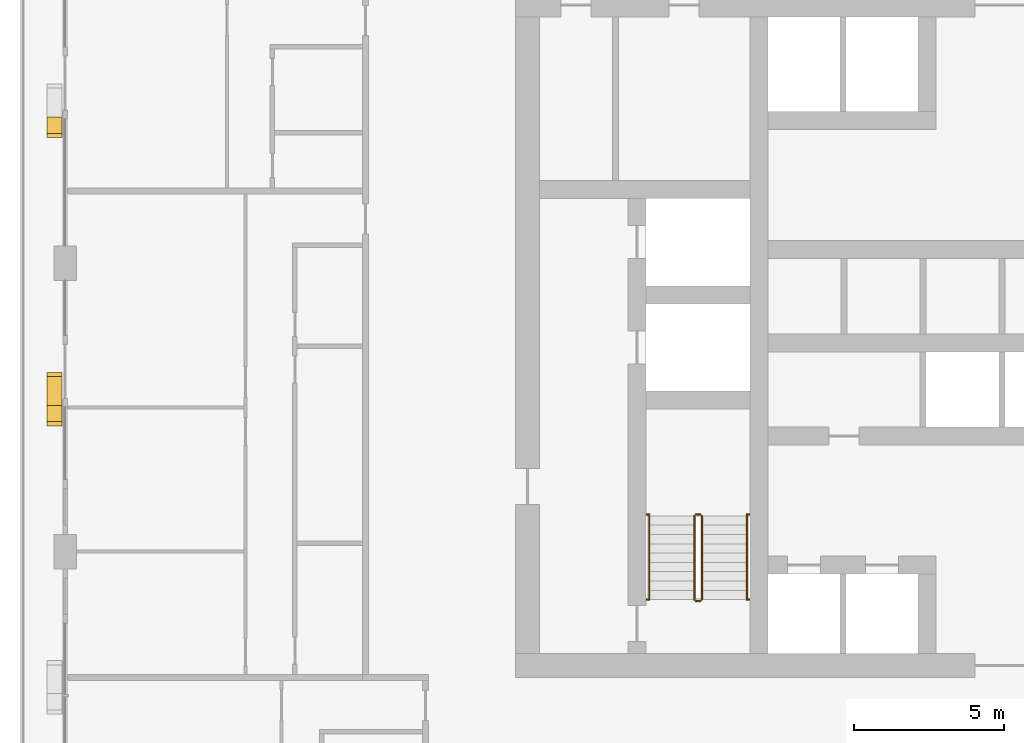
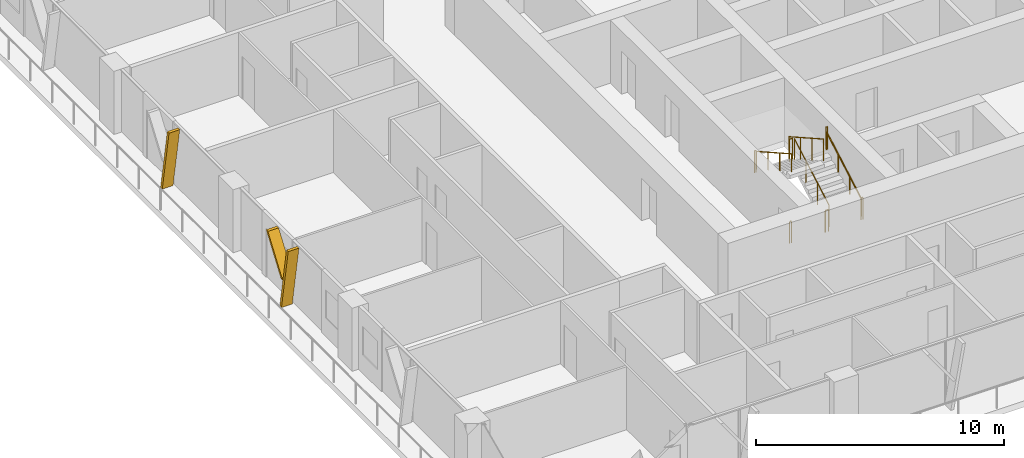
# One storey, part 17 of 22: 10 railings, 3 shading devices.
"""IFC4 building model written with IfcOpenShell, lengths in metres."""

from ifc_helpers import new_model, si_unit, direction, frame, origin, origin_2d, place, context, subcontext, project, spatial, polyline, circle, outline, extrude, material, type_object, element, save


model = new_model("IFC4")

# Units and contexts
model_context = context("Model", 3, precision=1e-05, world=origin(), true_north=direction((0.0, 1.0)))
body_context = subcontext(model_context, "Body", "Model", "MODEL_VIEW")
ifc_project = project(units=[si_unit("LENGTHUNIT", "METRE"), si_unit("AREAUNIT", "SQUARE_METRE"), si_unit("VOLUMEUNIT", "CUBIC_METRE"), si_unit("PLANEANGLEUNIT", "RADIAN"), si_unit("MASSUNIT", "GRAM", prefix="KILO")], contexts=[model_context])

# Site, building, storey
site_placement = place(None, origin())
site = spatial("IfcSite", under=ifc_project, at=site_placement, CompositionType="ELEMENT")
building_placement = place(site_placement, origin())
building = spatial("IfcBuilding", under=site, at=building_placement, Name="Madar Terraces", CompositionType="ELEMENT")
storey_placement = place(building_placement, frame((0.0, 0.0, 140.10009765625)))
storey = spatial("IfcBuildingStorey", under=building, at=storey_placement, Name="L36", CompositionType="ELEMENT", Elevation=140.10009765625)

# Shading devices
ifc_material_1 = material(Name="Aluminium, black anodised", Category="aluminium")
shading_device_type = type_object("IfcShadingDeviceType", Name="Facade fin blade 140 x 500", PredefinedType="USERDEFINED", material=ifc_material_1)
shading_device_1_placement = place(storey_placement, frame((-0.35009765625, 33.669921875, 0.0), z_axis=(0.0, 0.0, 1.0), x_axis=(0.0, -1.0, 0.0)))
element("IfcShadingDevice", 1, at=shading_device_1_placement, inside=storey, type_object=shading_device_type, Name="FIN L36 W2", ObjectType="FIN", PredefinedType="USERDEFINED", context=body_context, shape_type="SweptSolid", body=[
    extrude(outline(polyline([(0.0, 0.0), (0.139892578125, 0.0), (0.68310546875, 3.079833984375), (0.54296875, 3.079833984375), (0.0, 0.0)])), frame((0.0, 0.25, 0.0), z_axis=(0.0, -1.0, 0.0), x_axis=(1.0, 0.0, 0.0)), (0.0, 0.0, 1.0), 0.5),
])
shading_device_2_placement = place(storey_placement, frame((-0.35009765625, 24.070068359375, 0.0), z_axis=(0.0, 0.0, 1.0), x_axis=(0.0, -1.0, 0.0)))
element("IfcShadingDevice", 2, at=shading_device_2_placement, inside=storey, type_object=shading_device_type, Name="FIN L36 W3", ObjectType="FIN", PredefinedType="USERDEFINED", context=body_context, shape_type="SweptSolid", body=[
    extrude(outline(polyline([(0.0, 0.0), (0.14013671875, 0.0), (0.68310546875, 3.079833984375), (0.54296875, 3.079833984375), (0.0, 0.0)])), frame((0.0, 0.25, 0.0), z_axis=(0.0, -1.0, 0.0), x_axis=(1.0, 0.0, 0.0)), (0.0, 0.0, 1.0), 0.5),
])
shading_device_3_placement = place(storey_placement, frame((-0.35009765625, 23.965576171875, 1.385986328125), z_axis=(0.0, 0.0, 1.0), x_axis=(0.0, -1.0, 0.0)))
element("IfcShadingDevice", 3, at=shading_device_3_placement, inside=storey, type_object=shading_device_type, Name="FIN L36 W3 branch", ObjectType="FIN", PredefinedType="USERDEFINED", context=body_context, shape_type="SweptSolid", body=[
    extrude(outline(polyline([(0.0, 0.0), (0.139892578125, 0.0), (-1.061279296875, 1.69384765625), (-1.201416015625, 1.69384765625), (0.0, 0.0)])), frame((0.0, 0.25, 0.0), z_axis=(0.0, -1.0, 0.0), x_axis=(1.0, 0.0, 0.0)), (0.0, 0.0, 1.0), 0.5),
])

# Railings
ifc_material_2 = material(Name="Stainless steel railing", Category="steel")
railing_type_1 = type_object("IfcRailingType", Name="Stair guard 1100", PredefinedType="GUARDRAIL", material=ifc_material_2)
railing_1_placement = place(storey_placement, frame((21.199951171875, 17.60009765625, 0.1748046875)))
element("IfcRailing", 4, at=railing_1_placement, inside=storey, type_object=railing_type_1, Name="L36 ST1 stair guard 1", PredefinedType="GUARDRAIL", context=body_context, shape_type="SweptSolid", body=[
    extrude(circle(Radius=0.02392578125, at=origin_2d()), frame((0.0, 0.0, 1.076171875), z_axis=(0.0, 0.870782738816, 0.491667999549), x_axis=(-1.0, 0.0, 0.0)), (0.0, 0.0, 1.0), 3.203857421875),
    extrude(circle(Radius=0.02099609375, at=origin_2d()), origin(), (0.0, 0.0, 1.0), 1.052001953125),
    extrude(circle(Radius=0.02099609375, at=origin_2d()), frame((0.0, 0.929931640625, 0.525146484375)), (0.0, 0.0, 1.0), 1.052001953125),
    extrude(circle(Radius=0.02099609375, at=origin_2d()), frame((0.0, 1.85986328125, 1.050048828125)), (0.0, 0.0, 1.0), 1.052001953125),
    extrude(circle(Radius=0.02099609375, at=origin_2d()), frame((0.0, 2.789794921875, 1.5751953125)), (0.0, 0.0, 1.0), 1.052001953125),
])
railing_2_placement = place(storey_placement, frame((21.14990234375, 20.43994140625, 1.75)))
element("IfcRailing", 5, at=railing_2_placement, inside=storey, type_object=railing_type_1, Name="L36 ST1 stair guard 2", PredefinedType="GUARDRAIL", context=body_context, shape_type="SweptSolid", body=[
    extrude(circle(Radius=0.02392578125, at=origin_2d()), frame((0.0, 0.0, 1.076171875), z_axis=(-1.0, 0.0, 0.0), x_axis=(0.0, -1.0, 0.0)), (0.0, 0.0, 1.0), 0.14990234375),
    extrude(circle(Radius=0.02099609375, at=origin_2d()), origin(), (0.0, 0.0, 1.0), 1.052001953125),
    extrude(circle(Radius=0.02099609375, at=origin_2d()), frame((-0.14990234375, 0.0, 0.0)), (0.0, 0.0, 1.0), 1.052001953125),
])
railing_3_placement = place(storey_placement, frame((20.949951171875, 20.389892578125, 1.9248046875)))
element("IfcRailing", 6, at=railing_3_placement, inside=storey, type_object=railing_type_1, Name="L36 ST1 stair guard 3", PredefinedType="GUARDRAIL", context=body_context, shape_type="SweptSolid", body=[
    extrude(circle(Radius=0.02392578125, at=origin_2d()), frame((0.0, 0.0, 1.076171875), z_axis=(0.0, -0.870782738816, 0.491667999549), x_axis=(1.0, 0.0, 0.0)), (0.0, 0.0, 1.0), 3.203857421875),
    extrude(circle(Radius=0.02099609375, at=origin_2d()), origin(), (0.0, 0.0, 1.0), 1.052001953125),
    extrude(circle(Radius=0.02099609375, at=origin_2d()), frame((0.0, -0.929931640625, 0.525146484375)), (0.0, 0.0, 1.0), 1.052001953125),
    extrude(circle(Radius=0.02099609375, at=origin_2d()), frame((0.0, -1.85986328125, 1.050048828125)), (0.0, 0.0, 1.0), 1.052001953125),
    extrude(circle(Radius=0.02099609375, at=origin_2d()), frame((0.0, -2.789794921875, 1.5751953125)), (0.0, 0.0, 1.0), 1.052001953125),
])
railing_4_placement = place(storey_placement, frame((21.14990234375, 17.550048828125, 0.0)))
element("IfcRailing", 7, at=railing_4_placement, inside=storey, type_object=railing_type_1, Name="L36 ST1 stair guard 4", PredefinedType="GUARDRAIL", context=body_context, shape_type="SweptSolid", body=[
    extrude(circle(Radius=0.02392578125, at=origin_2d()), frame((0.0, 0.0, 1.076171875), z_axis=(-1.0, 0.0, 0.0), x_axis=(0.0, -1.0, 0.0)), (0.0, 0.0, 1.0), 0.14990234375),
    extrude(circle(Radius=0.02099609375, at=origin_2d()), origin(), (0.0, 0.0, 1.0), 1.052001953125),
    extrude(circle(Radius=0.02099609375, at=origin_2d()), frame((-0.14990234375, 0.0, 0.0)), (0.0, 0.0, 1.0), 1.052001953125),
])
railing_5_placement = place(storey_placement, frame((19.3701171875, 20.43994140625, 1.75)))
element("IfcRailing", 8, at=railing_5_placement, inside=storey, type_object=railing_type_1, Name="L36 stair guard seat 1", PredefinedType="GUARDRAIL", context=body_context, shape_type="SweptSolid", body=[
    extrude(circle(Radius=0.02392578125, at=origin_2d()), frame((0.0, 0.0, 1.076171875), z_axis=(1.0, 0.0, 0.0), x_axis=(0.0, 1.0, 0.0)), (0.0, 0.0, 1.0), 0.079833984375),
    extrude(circle(Radius=0.02099609375, at=origin_2d()), origin(), (0.0, 0.0, 1.0), 1.052001953125),
    extrude(circle(Radius=0.02099609375, at=origin_2d()), frame((0.079833984375, 0.0, 0.0)), (0.0, 0.0, 1.0), 1.052001953125),
])
railing_6_placement = place(storey_placement, frame((22.699951171875, 20.43994140625, 1.75)))
element("IfcRailing", 9, at=railing_6_placement, inside=storey, type_object=railing_type_1, Name="L36 stair guard seat 2", PredefinedType="GUARDRAIL", context=body_context, shape_type="SweptSolid", body=[
    extrude(circle(Radius=0.02392578125, at=origin_2d()), frame((0.0, 0.0, 1.076171875), z_axis=(1.0, 0.0, 0.0), x_axis=(0.0, 1.0, 0.0)), (0.0, 0.0, 1.0), 0.080078125),
    extrude(circle(Radius=0.02099609375, at=origin_2d()), origin(), (0.0, 0.0, 1.0), 1.052001953125),
    extrude(circle(Radius=0.02099609375, at=origin_2d()), frame((0.080078125, 0.0, 0.0)), (0.0, 0.0, 1.0), 1.052001953125),
])
railing_7_placement = place(storey_placement, frame((19.3701171875, 17.60009765625, 0.0)))
element("IfcRailing", 10, at=railing_7_placement, inside=storey, type_object=railing_type_1, Name="L36 stair guard floor 1", PredefinedType="GUARDRAIL", context=body_context, shape_type="SweptSolid", body=[
    extrude(circle(Radius=0.02392578125, at=origin_2d()), frame((0.0, 0.0, 1.076171875), z_axis=(1.0, 0.0, 0.0), x_axis=(0.0, 1.0, 0.0)), (0.0, 0.0, 1.0), 0.079833984375),
    extrude(circle(Radius=0.02099609375, at=origin_2d()), origin(), (0.0, 0.0, 1.0), 1.052001953125),
    extrude(circle(Radius=0.02099609375, at=origin_2d()), frame((0.079833984375, 0.0, 0.0)), (0.0, 0.0, 1.0), 1.052001953125),
])
railing_8_placement = place(storey_placement, frame((22.699951171875, 17.60009765625, 0.0)))
element("IfcRailing", 11, at=railing_8_placement, inside=storey, type_object=railing_type_1, Name="L36 stair guard floor 2", PredefinedType="GUARDRAIL", context=body_context, shape_type="SweptSolid", body=[
    extrude(circle(Radius=0.02392578125, at=origin_2d()), frame((0.0, 0.0, 1.076171875), z_axis=(1.0, 0.0, 0.0), x_axis=(0.0, 1.0, 0.0)), (0.0, 0.0, 1.0), 0.080078125),
    extrude(circle(Radius=0.02099609375, at=origin_2d()), origin(), (0.0, 0.0, 1.0), 1.052001953125),
    extrude(circle(Radius=0.02099609375, at=origin_2d()), frame((0.080078125, 0.0, 0.0)), (0.0, 0.0, 1.0), 1.052001953125),
])
ifc_material_3 = material(Name="Stainless steel railing", Category="steel")
railing_type_2 = type_object("IfcRailingType", Name="Stair handrail 900", PredefinedType="HANDRAIL", material=ifc_material_3)
railing_9_placement = place(storey_placement, frame((22.699951171875, 17.60009765625, 0.1748046875)))
element("IfcRailing", 12, at=railing_9_placement, inside=storey, type_object=railing_type_2, Name="L36 ST1 stair handrail 1", PredefinedType="HANDRAIL", context=body_context, shape_type="SweptSolid", body=[
    extrude(circle(Radius=0.02392578125, at=origin_2d()), frame((0.0, 0.0, 0.8759765625), z_axis=(0.0, 0.870782738816, 0.491667999549), x_axis=(-1.0, 0.0, 0.0)), (0.0, 0.0, 1.0), 3.203857421875),
    extrude(circle(Radius=0.02099609375, at=origin_2d()), origin(), (0.0, 0.0, 1.0), 0.851806640625),
    extrude(circle(Radius=0.02099609375, at=origin_2d()), frame((0.0, 0.929931640625, 0.525146484375)), (0.0, 0.0, 1.0), 0.851806640625),
    extrude(circle(Radius=0.02099609375, at=origin_2d()), frame((0.0, 1.85986328125, 1.050048828125)), (0.0, 0.0, 1.0), 0.851806640625),
    extrude(circle(Radius=0.02099609375, at=origin_2d()), frame((0.0, 2.789794921875, 1.5751953125)), (0.0, 0.0, 1.0), 0.851806640625),
])
railing_10_placement = place(storey_placement, frame((19.449951171875, 20.389892578125, 1.9248046875)))
element("IfcRailing", 13, at=railing_10_placement, inside=storey, type_object=railing_type_2, Name="L36 ST1 stair handrail 2", PredefinedType="HANDRAIL", context=body_context, shape_type="SweptSolid", body=[
    extrude(circle(Radius=0.02392578125, at=origin_2d()), frame((0.0, 0.0, 0.8759765625), z_axis=(0.0, -0.870782738816, 0.491667999549), x_axis=(1.0, 0.0, 0.0)), (0.0, 0.0, 1.0), 3.203857421875),
    extrude(circle(Radius=0.02099609375, at=origin_2d()), origin(), (0.0, 0.0, 1.0), 0.851806640625),
    extrude(circle(Radius=0.02099609375, at=origin_2d()), frame((0.0, -0.929931640625, 0.525146484375)), (0.0, 0.0, 1.0), 0.851806640625),
    extrude(circle(Radius=0.02099609375, at=origin_2d()), frame((0.0, -1.85986328125, 1.050048828125)), (0.0, 0.0, 1.0), 0.851806640625),
    extrude(circle(Radius=0.02099609375, at=origin_2d()), frame((0.0, -2.789794921875, 1.5751953125)), (0.0, 0.0, 1.0), 0.851806640625),
])

save(model, "model.ifc")
